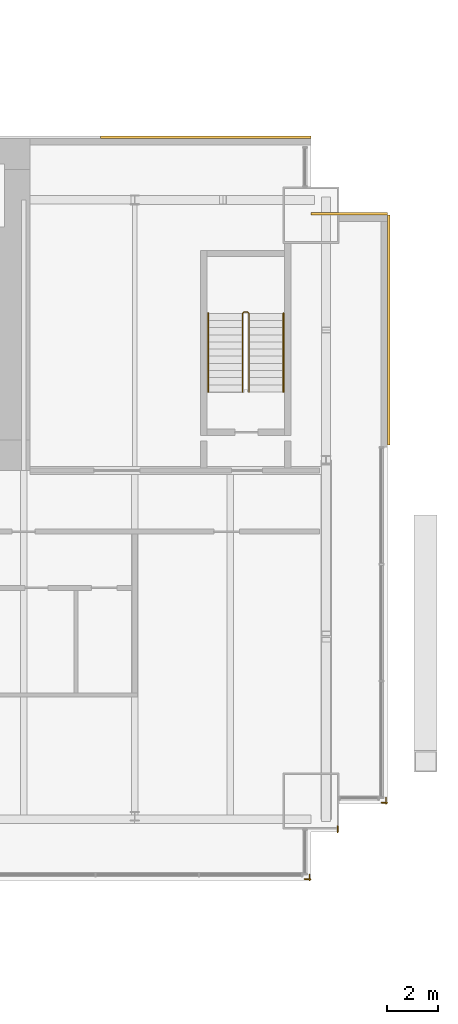
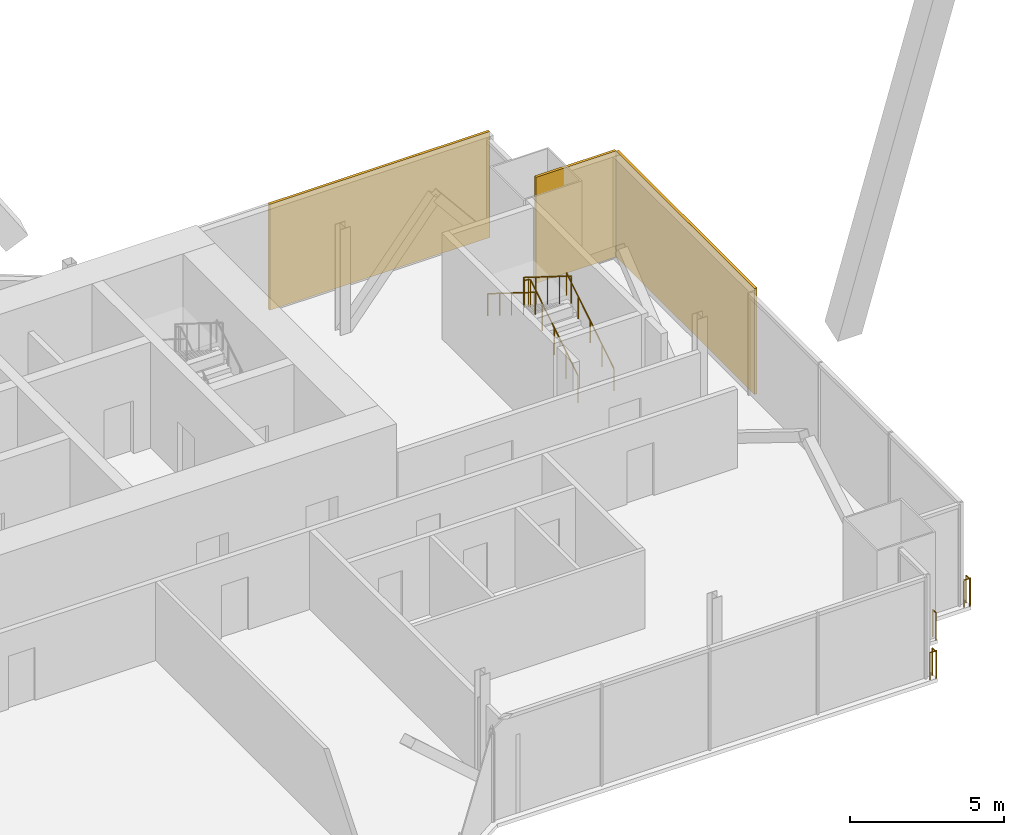
# One storey, part 23 of 23: 6 railings, 3 coverings.
"""IFC4 building model written with IfcOpenShell, lengths in metres."""

from ifc_helpers import new_model, si_unit, direction, frame, origin, origin_2d, place, context, subcontext, project, spatial, rectangle, circle, extrude, material, layer, layer_set, type_object, element, save


model = new_model("IFC4")

# Units and contexts
model_context = context("Model", 3, precision=1e-05, world=origin(), true_north=direction((0.0, 1.0)))
body_context = subcontext(model_context, "Body", "Model", "MODEL_VIEW")
ifc_project = project(units=[si_unit("LENGTHUNIT", "METRE"), si_unit("AREAUNIT", "SQUARE_METRE"), si_unit("VOLUMEUNIT", "CUBIC_METRE"), si_unit("PLANEANGLEUNIT", "RADIAN"), si_unit("MASSUNIT", "GRAM", prefix="KILO")], contexts=[model_context])

# Site, building, storey
site_placement = place(None, origin())
site = spatial("IfcSite", under=ifc_project, at=site_placement, CompositionType="ELEMENT")
building_placement = place(site_placement, origin())
building = spatial("IfcBuilding", under=site, at=building_placement, Name="Bicima Exchange Tower", CompositionType="ELEMENT")
storey_placement = place(building_placement, frame((0.0, 0.0, 262.39990234375)))
storey = spatial("IfcBuildingStorey", under=building, at=storey_placement, Name="L59", CompositionType="ELEMENT", Elevation=262.39990234375)

# Coverings
ifc_material_1 = material(Name="Bronze metal cladding")
ifc_layer_1 = layer(ifc_material_1, 0.004)
ifc_material_2 = material(Name="Ventilated cavity")
ifc_layer_2 = layer(ifc_material_2, 0.06)
ifc_material_3 = material(Name="Galvanised steel rail and mineral wool", Category="steel")
ifc_layer_3 = layer(ifc_material_3, 0.036)
ifc_layer_set = layer_set([ifc_layer_1, ifc_layer_2, ifc_layer_3], Name="Ventilated cavity")
covering_type = type_object("IfcCoveringType", Name="Bronze metal cladding panel 100", PredefinedType="CLADDING", material=ifc_layer_set)
covering_1_placement = place(storey_placement, frame((28.875, 0.050048828125, -0.14990234375), z_axis=(0.0, 0.0, 1.0), x_axis=(-1.0, 0.0, 0.0)))
element("IfcCovering", 1, at=covering_1_placement, inside=storey, type_object=covering_type, Name="Bronze cladding L59 1.1", PredefinedType="CLADDING", context=body_context, shape_type="SweptSolid", body=[
    extrude(rectangle(XDim=8.25, YDim=0.10009765625, at=origin_2d()), origin(), (0.0, 0.0, 1.0), 4.199951171875),
])
covering_2_placement = place(storey_placement, frame((36.050048828125, -7.5, -0.14990234375), z_axis=(0.0, 0.0, 1.0), x_axis=(0.0, 1.0, 0.0)))
element("IfcCovering", 2, at=covering_2_placement, inside=storey, type_object=covering_type, Name="Bronze cladding L59 50.1", PredefinedType="CLADDING", context=body_context, shape_type="SweptSolid", body=[
    extrude(rectangle(XDim=9.0, YDim=0.10009765625, at=origin_2d()), origin(), (0.0, 0.0, 1.0), 4.199951171875),
])
covering_3_placement = place(storey_placement, frame((34.5, -2.949951171875, -0.14990234375), z_axis=(0.0, 0.0, 1.0), x_axis=(-1.0, 0.0, 0.0)))
element("IfcCovering", 3, at=covering_3_placement, inside=storey, type_object=covering_type, Name="Bronze cladding L59 51.1", PredefinedType="CLADDING", context=body_context, shape_type="SweptSolid", body=[
    extrude(rectangle(XDim=3.0, YDim=0.10009765625, at=origin_2d()), origin(), (0.0, 0.0, 1.0), 4.199951171875),
])

# Railings
ifc_material_4 = material(Name="Stainless steel and bonded safety glass", Category="steel")
railing_type_1 = type_object("IfcRailingType", Name="Edge guard 1100", PredefinedType="GUARDRAIL", material=ifc_material_4)
railing_1_placement = place(storey_placement, frame((35.949951171875, -25.820068359375, 0.0)))
element("IfcRailing", 4, at=railing_1_placement, inside=storey, type_object=railing_type_1, Name="Edge guard L59 302", PredefinedType="GUARDRAIL", context=body_context, shape_type="SweptSolid", body=[
    extrude(circle(Radius=0.02392578125, at=origin_2d()), frame((0.0, 0.0, 1.076171875), z_axis=(0.0, -1.0, 0.0), x_axis=(1.0, 0.0, 0.0)), (0.0, 0.0, 1.0), 0.248046875),
    extrude(circle(Radius=0.02392578125, at=origin_2d()), frame((0.0, -0.248046875, 1.076171875), z_axis=(0.707106781187, 0.707106781187, 0.0), x_axis=(-0.707106781187, 0.707106781187, 0.0)), (0.0, 0.0, 1.0), 0.07080078125),
    extrude(circle(Radius=0.02392578125, at=origin_2d()), frame((0.050048828125, -0.197998046875, 1.076171875), z_axis=(-1.0, 0.0, 0.0), x_axis=(0.0, -1.0, 0.0)), (0.0, 0.0, 1.0), 0.237060546875),
    extrude(circle(Radius=0.02099609375, at=origin_2d()), origin(), (0.0, 0.0, 1.0), 1.052001953125),
    extrude(circle(Radius=0.02099609375, at=origin_2d()), frame((0.0, -0.248046875, 0.0)), (0.0, 0.0, 1.0), 1.052001953125),
    extrude(circle(Radius=0.02099609375, at=origin_2d()), frame((0.050048828125, -0.197998046875, 0.0)), (0.0, 0.0, 1.0), 1.052001953125),
    extrude(circle(Radius=0.02099609375, at=origin_2d()), frame((-0.18701171875, -0.197998046875, 0.0)), (0.0, 0.0, 1.0), 1.052001953125),
])
railing_2_placement = place(storey_placement, frame((34.050048828125, -26.947998046875, 0.0)))
element("IfcRailing", 5, at=railing_2_placement, inside=storey, type_object=railing_type_1, Name="Edge guard L59 303", PredefinedType="GUARDRAIL", context=body_context, shape_type="SweptSolid", body=[
    extrude(circle(Radius=0.02392578125, at=origin_2d()), frame((0.0, 0.0, 1.076171875), z_axis=(0.0, -1.0, 0.0), x_axis=(1.0, 0.0, 0.0)), (0.0, 0.0, 1.0), 0.219970703125),
    extrude(circle(Radius=0.02099609375, at=origin_2d()), origin(), (0.0, 0.0, 1.0), 1.052001953125),
    extrude(circle(Radius=0.02099609375, at=origin_2d()), frame((0.0, -0.219970703125, 0.0)), (0.0, 0.0, 1.0), 1.052001953125),
])
railing_3_placement = place(storey_placement, frame((32.949951171875, -28.8310546875, 0.0)))
element("IfcRailing", 6, at=railing_3_placement, inside=storey, type_object=railing_type_1, Name="Edge guard L59 304", PredefinedType="GUARDRAIL", context=body_context, shape_type="SweptSolid", body=[
    extrude(circle(Radius=0.02392578125, at=origin_2d()), frame((0.0, 0.0, 1.076171875), z_axis=(0.0, -1.0, 0.0), x_axis=(1.0, 0.0, 0.0)), (0.0, 0.0, 1.0), 0.237060546875),
    extrude(circle(Radius=0.02392578125, at=origin_2d()), frame((0.0, -0.237060546875, 1.076171875), z_axis=(0.707106781187, 0.707106781187, 0.0), x_axis=(-0.707106781187, 0.707106781187, 0.0)), (0.0, 0.0, 1.0), 0.07080078125),
    extrude(circle(Radius=0.02392578125, at=origin_2d()), frame((0.050048828125, -0.18701171875, 1.076171875), z_axis=(-1.0, 0.0, 0.0), x_axis=(0.0, -1.0, 0.0)), (0.0, 0.0, 1.0), 0.25),
    extrude(circle(Radius=0.02099609375, at=origin_2d()), origin(), (0.0, 0.0, 1.0), 1.052001953125),
    extrude(circle(Radius=0.02099609375, at=origin_2d()), frame((0.0, -0.237060546875, 0.0)), (0.0, 0.0, 1.0), 1.052001953125),
    extrude(circle(Radius=0.02099609375, at=origin_2d()), frame((0.050048828125, -0.18701171875, 0.0)), (0.0, 0.0, 1.0), 1.052001953125),
    extrude(circle(Radius=0.02099609375, at=origin_2d()), frame((-0.199951171875, -0.18701171875, 0.0)), (0.0, 0.0, 1.0), 1.052001953125),
])
ifc_material_5 = material(Name="Stainless steel", Category="steel")
railing_type_2 = type_object("IfcRailingType", Name="Stair guard 1100", PredefinedType="GUARDRAIL", material=ifc_material_5)
railing_4_placement = place(storey_placement, frame((30.574951171875, -9.925048828125, 0.175048828125)))
element("IfcRailing", 7, at=railing_4_placement, inside=storey, type_object=railing_type_2, Name="L59 ST-EE stair guard 1", PredefinedType="GUARDRAIL", context=body_context, shape_type="SweptSolid", body=[
    extrude(circle(Radius=0.02392578125, at=origin_2d()), frame((0.0, 0.0, 1.076171875), z_axis=(0.0, 0.847998304005, 0.529998940003), x_axis=(-1.0, 0.0, 0.0)), (0.0, 0.0, 1.0), 3.632080078125),
    extrude(circle(Radius=0.02392578125, at=origin_2d()), frame((0.0, 3.080078125, 3.0009765625), z_axis=(-0.707106781187, 0.707106781187, 0.0), x_axis=(-0.707106781187, -0.707106781187, 0.0)), (0.0, 0.0, 1.0), 0.07080078125),
    extrude(circle(Radius=0.02392578125, at=origin_2d()), frame((-0.050048828125, 3.130126953125, 3.0009765625), z_axis=(-1.0, 0.0, 0.0), x_axis=(0.0, -1.0, 0.0)), (0.0, 0.0, 1.0), 0.14990234375),
    extrude(circle(Radius=0.02392578125, at=origin_2d()), frame((-0.199951171875, 3.130126953125, 3.0009765625), z_axis=(-0.265065253269, -0.265065253269, 0.927081885822), x_axis=(0.707106781187, -0.707106781187, 0.0)), (0.0, 0.0, 1.0), 0.188720703125),
    extrude(circle(Radius=0.02392578125, at=origin_2d()), frame((-0.25, 3.080078125, 3.17626953125), z_axis=(0.0, -0.847998304005, 0.529998940003), x_axis=(1.0, 0.0, 0.0)), (0.0, 0.0, 1.0), 3.632080078125),
    extrude(circle(Radius=0.02099609375, at=origin_2d()), origin(), (0.0, 0.0, 1.0), 1.052001953125),
    extrude(circle(Radius=0.02099609375, at=origin_2d()), frame((0.0, 0.77001953125, 0.481201171875)), (0.0, 0.0, 1.0), 1.052001953125),
    extrude(circle(Radius=0.02099609375, at=origin_2d()), frame((0.0, 1.5400390625, 0.96240234375)), (0.0, 0.0, 1.0), 1.052001953125),
    extrude(circle(Radius=0.02099609375, at=origin_2d()), frame((0.0, 2.31005859375, 1.44384765625)), (0.0, 0.0, 1.0), 1.052001953125),
    extrude(circle(Radius=0.02099609375, at=origin_2d()), frame((0.0, 3.080078125, 1.925048828125)), (0.0, 0.0, 1.0), 1.052001953125),
    extrude(circle(Radius=0.02099609375, at=origin_2d()), frame((-0.050048828125, 3.130126953125, 1.925048828125)), (0.0, 0.0, 1.0), 1.052001953125),
    extrude(circle(Radius=0.02099609375, at=origin_2d()), frame((-0.199951171875, 3.130126953125, 1.925048828125)), (0.0, 0.0, 1.0), 1.052001953125),
    extrude(circle(Radius=0.02099609375, at=origin_2d()), frame((-0.25, 3.080078125, 2.10009765625)), (0.0, 0.0, 1.0), 1.052001953125),
    extrude(circle(Radius=0.02099609375, at=origin_2d()), frame((-0.25, 2.31005859375, 2.581298828125)), (0.0, 0.0, 1.0), 1.052001953125),
    extrude(circle(Radius=0.02099609375, at=origin_2d()), frame((-0.25, 1.5400390625, 3.0625)), (0.0, 0.0, 1.0), 1.052001953125),
    extrude(circle(Radius=0.02099609375, at=origin_2d()), frame((-0.25, 0.77001953125, 3.5439453125)), (0.0, 0.0, 1.0), 1.052001953125),
    extrude(circle(Radius=0.02099609375, at=origin_2d()), frame((-0.25, 0.0, 4.025146484375)), (0.0, 0.0, 1.0), 1.052001953125),
])
railing_type_3 = type_object("IfcRailingType", Name="Stair handrail 900", PredefinedType="HANDRAIL", material=ifc_material_5)
railing_5_placement = place(storey_placement, frame((31.925048828125, -9.925048828125, 0.175048828125)))
element("IfcRailing", 8, at=railing_5_placement, inside=storey, type_object=railing_type_3, Name="L59 ST-EE stair handrail 1", PredefinedType="HANDRAIL", context=body_context, shape_type="SweptSolid", body=[
    extrude(circle(Radius=0.02392578125, at=origin_2d()), frame((0.0, 0.0, 0.8759765625), z_axis=(0.0, 0.847998304005, 0.529998940003), x_axis=(-1.0, 0.0, 0.0)), (0.0, 0.0, 1.0), 3.632080078125),
    extrude(circle(Radius=0.02099609375, at=origin_2d()), origin(), (0.0, 0.0, 1.0), 0.851806640625),
    extrude(circle(Radius=0.02099609375, at=origin_2d()), frame((0.0, 0.77001953125, 0.481201171875)), (0.0, 0.0, 1.0), 0.851806640625),
    extrude(circle(Radius=0.02099609375, at=origin_2d()), frame((0.0, 1.5400390625, 0.96240234375)), (0.0, 0.0, 1.0), 0.851806640625),
    extrude(circle(Radius=0.02099609375, at=origin_2d()), frame((0.0, 2.31005859375, 1.44384765625)), (0.0, 0.0, 1.0), 0.851806640625),
    extrude(circle(Radius=0.02099609375, at=origin_2d()), frame((0.0, 3.080078125, 1.925048828125)), (0.0, 0.0, 1.0), 0.851806640625),
])
railing_6_placement = place(storey_placement, frame((28.97509765625, -6.844970703125, 2.30419921875)))
element("IfcRailing", 9, at=railing_6_placement, inside=storey, type_object=railing_type_3, Name="L59 ST-EE stair handrail 2", PredefinedType="HANDRAIL", context=body_context, shape_type="SweptSolid", body=[
    extrude(circle(Radius=0.02392578125, at=origin_2d()), frame((0.0, 0.0, 0.8759765625), z_axis=(0.0, -0.848028513186, 0.529950602248), x_axis=(1.0, 0.0, 0.0)), (0.0, 0.0, 1.0), 3.632080078125),
    extrude(circle(Radius=0.02099609375, at=origin_2d()), origin(), (0.0, 0.0, 1.0), 0.851806640625),
    extrude(circle(Radius=0.02099609375, at=origin_2d()), frame((0.0, -0.77001953125, 0.481201171875)), (0.0, 0.0, 1.0), 0.851806640625),
    extrude(circle(Radius=0.02099609375, at=origin_2d()), frame((0.0, -1.5400390625, 0.96240234375)), (0.0, 0.0, 1.0), 0.851806640625),
    extrude(circle(Radius=0.02099609375, at=origin_2d()), frame((0.0, -2.31005859375, 1.443603515625)), (0.0, 0.0, 1.0), 0.851806640625),
    extrude(circle(Radius=0.02099609375, at=origin_2d()), frame((0.0, -3.080078125, 1.9248046875)), (0.0, 0.0, 1.0), 0.851806640625),
])

save(model, "model.ifc")
